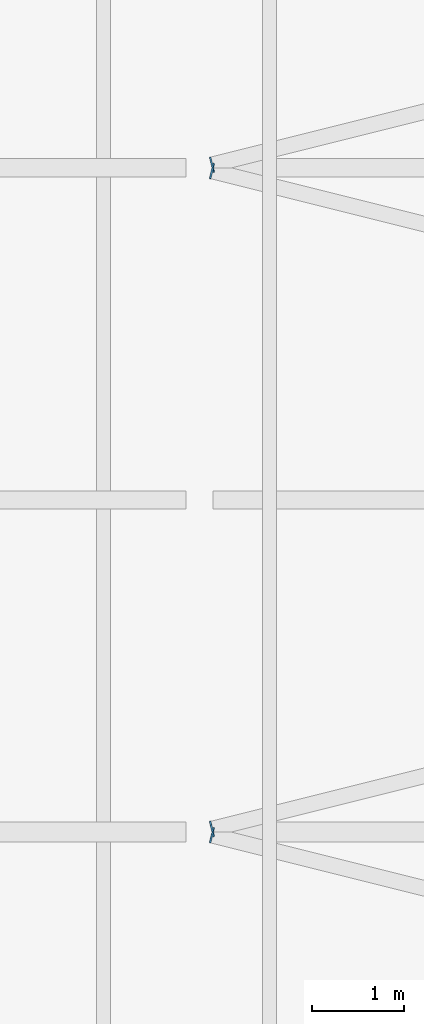
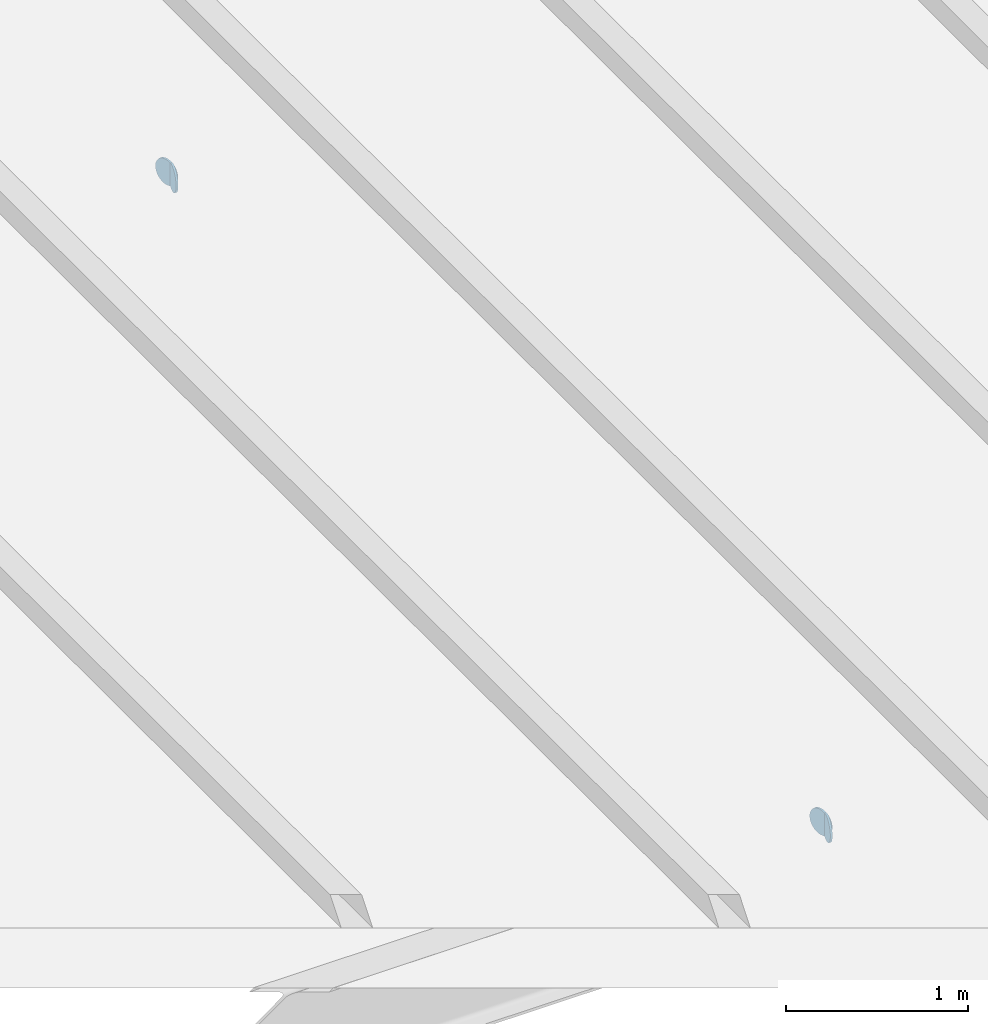
# One storey, part 88 of 120: 4 discrete accessories.
"""IFC4 building model written with IfcOpenShell, lengths in metres."""

from ifc_helpers import new_model, si_unit, direction, frame, origin, origin_2d, place, context, subcontext, project, spatial, circle, extrude, material, layer, layer_set, type_object, element, save


model = new_model("IFC4")

# Units and contexts
model_context = context("Model", 3, precision=1e-05, world=origin(), true_north=direction((0.0, 1.0)))
body_context = subcontext(model_context, "Body", "Model", "MODEL_VIEW")
ifc_project = project(units=[si_unit("LENGTHUNIT", "METRE"), si_unit("AREAUNIT", "SQUARE_METRE"), si_unit("VOLUMEUNIT", "CUBIC_METRE"), si_unit("PLANEANGLEUNIT", "RADIAN"), si_unit("MASSUNIT", "GRAM", prefix="KILO")], contexts=[model_context])

# Site, building, storey
site_placement = place(None, origin())
site = spatial("IfcSite", under=ifc_project, at=site_placement, CompositionType="ELEMENT")
building_placement = place(site_placement, origin())
building = spatial("IfcBuilding", under=site, at=building_placement, Name="Kupolbacken Congress Centre", CompositionType="ELEMENT")
storey_placement = place(building_placement, frame((0.0, 0.0, 21.60009765625)))
storey = spatial("IfcBuildingStorey", under=building, at=storey_placement, Name="L06", CompositionType="ELEMENT", Elevation=21.60009765625)

# Discrete accessories
ifc_material = material(Name="Steel S355", Category="steel")
ifc_layer = layer(ifc_material, 0.011962890625)
ifc_layer_set = layer_set([ifc_layer], Name="Steel S355")
discrete_accessory_type = type_object("IfcDiscreteAccessoryType", Name="EC2 tube end cap plate 168 dia x 12", PredefinedType="BRACKET", material=ifc_layer_set)
for number, where, z_axis, x_axis, name in (
    (1, (122.540771484375, 104.36474609375, -0.084228515625), (-0.970142500145, 0.242535625036, 0.0), (-0.242535625036, -0.970142500145, 0.0), "End cap plate HR/RB/03-16 B"),
    (2, (122.540771484375, 104.435302734375, -0.084228515625), (-0.970142500145, -0.242535625036, 0.0), (0.242535625036, -0.970142500145, 0.0), "End cap plate HR/RB/03-17 A"),
    (3, (122.540771484375, 111.564697265625, -0.084228515625), (-0.970142500145, 0.242535625036, 0.0), (-0.242535625036, -0.970142500145, 0.0), "End cap plate HR/RB/03-18 B"),
    (4, (122.540771484375, 111.63525390625, -0.084228515625), (-0.970142500145, -0.242535625036, 0.0), (0.242535625036, -0.970142500145, 0.0), "End cap plate HR/RB/03-19 A"),
):
    element("IfcDiscreteAccessory", number, at=place(storey_placement, frame(where, z_axis=z_axis, x_axis=x_axis)), inside=storey, type_object=discrete_accessory_type, Name=name, PredefinedType="BRACKET", context=body_context, shape_type="SweptSolid", body=[
        extrude(circle(Radius=0.084228515625, at=origin_2d()), origin(), (0.0, 0.0, 1.0), 0.011962890625),
    ])

save(model, "model.ifc")
